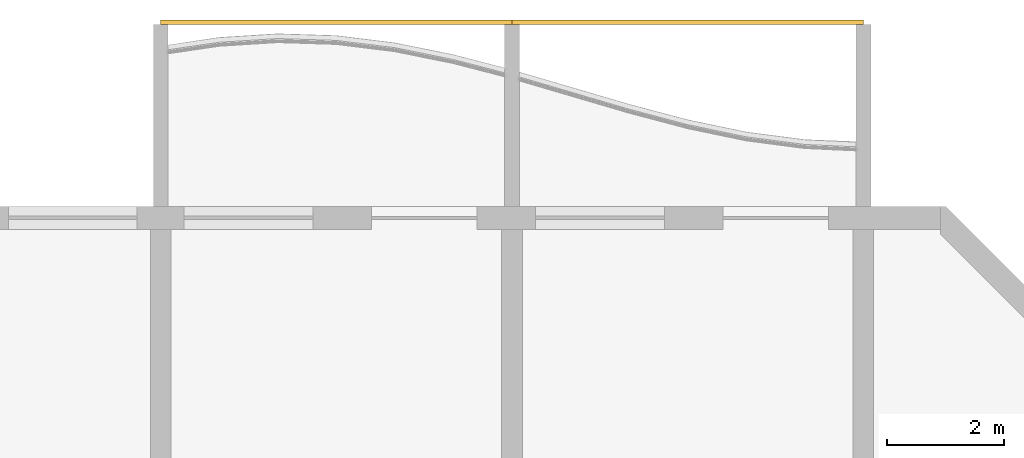
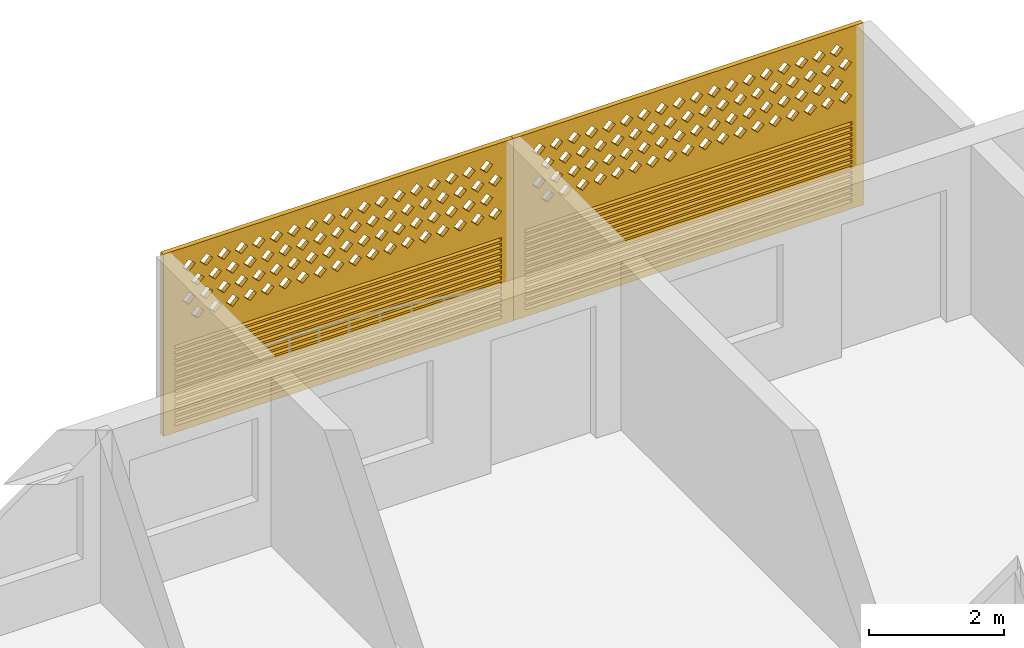
# One storey, part 27 of 27: 2 coverings.
"""IFC4 building model written with IfcOpenShell, lengths in metres."""

from ifc_helpers import new_model, si_unit, direction, frame, origin, place, context, subcontext, project, spatial, polyline, outline, extrude, source, transform, mapped, material, material_profile, profile_set, type_object, element, save


model = new_model("IFC4")

# Units and contexts
model_context = context("Model", 3, precision=1e-05, world=origin(), true_north=direction((0.0, 1.0)))
body_context = subcontext(model_context, "Body", "Model", "MODEL_VIEW")
ifc_project = project(units=[si_unit("LENGTHUNIT", "METRE"), si_unit("AREAUNIT", "SQUARE_METRE"), si_unit("VOLUMEUNIT", "CUBIC_METRE"), si_unit("PLANEANGLEUNIT", "RADIAN"), si_unit("MASSUNIT", "GRAM", prefix="KILO")], contexts=[model_context])

# Site, building, storey
site_placement = place(None, origin())
site = spatial("IfcSite", under=ifc_project, at=site_placement, CompositionType="ELEMENT")
building_placement = place(site_placement, origin())
building = spatial("IfcBuilding", under=site, at=building_placement, Name="Poui Terraces", CompositionType="ELEMENT")
storey_placement = place(building_placement, frame((0.0, 0.0, 76.199951171875)))
storey = spatial("IfcBuildingStorey", under=building, at=storey_placement, Name="L20", CompositionType="ELEMENT", Elevation=76.199951171875)

# Coverings
ifc_material = material(Name="Terracotta screen", Category="masonry")
ifc_material_profile = material_profile(ifc_material, outline(polyline([(-3.0, -1.64990234375), (3.0, -1.64990234375), (3.0, 1.64990234375), (-3.0, 1.64990234375), (-3.0, -1.64990234375)]), holes=[polyline([(-2.800048828125, 0.39990234375), (-2.68994140625, 0.2900390625), (-2.580078125, 0.39990234375), (-2.68994140625, 0.510009765625), (-2.800048828125, 0.39990234375)]), polyline([(-2.5, 0.39990234375), (-2.389892578125, 0.2900390625), (-2.280029296875, 0.39990234375), (-2.389892578125, 0.510009765625), (-2.5, 0.39990234375)]), polyline([(-2.199951171875, 0.39990234375), (-2.090087890625, 0.2900390625), (-1.97998046875, 0.39990234375), (-2.090087890625, 0.510009765625), (-2.199951171875, 0.39990234375)]), polyline([(-1.89990234375, 0.39990234375), (-1.7900390625, 0.2900390625), (-1.679931640625, 0.39990234375), (-1.7900390625, 0.510009765625), (-1.89990234375, 0.39990234375)]), polyline([(-1.60009765625, 0.39990234375), (-1.489990234375, 0.2900390625), (-1.3798828125, 0.39990234375), (-1.489990234375, 0.510009765625), (-1.60009765625, 0.39990234375)]), polyline([(-1.300048828125, 0.39990234375), (-1.18994140625, 0.2900390625), (-1.080078125, 0.39990234375), (-1.18994140625, 0.510009765625), (-1.300048828125, 0.39990234375)]), polyline([(-1.0, 0.39990234375), (-0.889892578125, 0.2900390625), (-0.780029296875, 0.39990234375), (-0.889892578125, 0.510009765625), (-1.0, 0.39990234375)]), polyline([(-0.699951171875, 0.39990234375), (-0.590087890625, 0.2900390625), (-0.47998046875, 0.39990234375), (-0.590087890625, 0.510009765625), (-0.699951171875, 0.39990234375)]), polyline([(-0.39990234375, 0.39990234375), (-0.2900390625, 0.2900390625), (-0.179931640625, 0.39990234375), (-0.2900390625, 0.510009765625), (-0.39990234375, 0.39990234375)]), polyline([(-0.10009765625, 0.39990234375), (0.010009765625, 0.2900390625), (0.1201171875, 0.39990234375), (0.010009765625, 0.510009765625), (-0.10009765625, 0.39990234375)]), polyline([(0.199951171875, 0.39990234375), (0.31005859375, 0.2900390625), (0.419921875, 0.39990234375), (0.31005859375, 0.510009765625), (0.199951171875, 0.39990234375)]), polyline([(0.5, 0.39990234375), (0.610107421875, 0.2900390625), (0.719970703125, 0.39990234375), (0.610107421875, 0.510009765625), (0.5, 0.39990234375)]), polyline([(0.800048828125, 0.39990234375), (0.909912109375, 0.2900390625), (1.02001953125, 0.39990234375), (0.909912109375, 0.510009765625), (0.800048828125, 0.39990234375)]), polyline([(1.10009765625, 0.39990234375), (1.2099609375, 0.2900390625), (1.320068359375, 0.39990234375), (1.2099609375, 0.510009765625), (1.10009765625, 0.39990234375)]), polyline([(1.39990234375, 0.39990234375), (1.510009765625, 0.2900390625), (1.6201171875, 0.39990234375), (1.510009765625, 0.510009765625), (1.39990234375, 0.39990234375)]), polyline([(1.699951171875, 0.39990234375), (1.81005859375, 0.2900390625), (1.919921875, 0.39990234375), (1.81005859375, 0.510009765625), (1.699951171875, 0.39990234375)]), polyline([(2.0, 0.39990234375), (2.110107421875, 0.2900390625), (2.219970703125, 0.39990234375), (2.110107421875, 0.510009765625), (2.0, 0.39990234375)]), polyline([(2.300048828125, 0.39990234375), (2.409912109375, 0.2900390625), (2.52001953125, 0.39990234375), (2.409912109375, 0.510009765625), (2.300048828125, 0.39990234375)]), polyline([(-2.64990234375, 0.699951171875), (-2.5400390625, 0.590087890625), (-2.429931640625, 0.699951171875), (-2.5400390625, 0.81005859375), (-2.64990234375, 0.699951171875)]), polyline([(-2.35009765625, 0.699951171875), (-2.239990234375, 0.590087890625), (-2.1298828125, 0.699951171875), (-2.239990234375, 0.81005859375), (-2.35009765625, 0.699951171875)]), polyline([(-2.050048828125, 0.699951171875), (-1.93994140625, 0.590087890625), (-1.830078125, 0.699951171875), (-1.93994140625, 0.81005859375), (-2.050048828125, 0.699951171875)]), polyline([(-1.75, 0.699951171875), (-1.639892578125, 0.590087890625), (-1.530029296875, 0.699951171875), (-1.639892578125, 0.81005859375), (-1.75, 0.699951171875)]), polyline([(-1.449951171875, 0.699951171875), (-1.340087890625, 0.590087890625), (-1.22998046875, 0.699951171875), (-1.340087890625, 0.81005859375), (-1.449951171875, 0.699951171875)]), polyline([(-1.14990234375, 0.699951171875), (-1.0400390625, 0.590087890625), (-0.929931640625, 0.699951171875), (-1.0400390625, 0.81005859375), (-1.14990234375, 0.699951171875)]), polyline([(-0.85009765625, 0.699951171875), (-0.739990234375, 0.590087890625), (-0.6298828125, 0.699951171875), (-0.739990234375, 0.81005859375), (-0.85009765625, 0.699951171875)]), polyline([(-0.550048828125, 0.699951171875), (-0.43994140625, 0.590087890625), (-0.330078125, 0.699951171875), (-0.43994140625, 0.81005859375), (-0.550048828125, 0.699951171875)]), polyline([(-0.25, 0.699951171875), (-0.139892578125, 0.590087890625), (-0.030029296875, 0.699951171875), (-0.139892578125, 0.81005859375), (-0.25, 0.699951171875)]), polyline([(0.050048828125, 0.699951171875), (0.159912109375, 0.590087890625), (0.27001953125, 0.699951171875), (0.159912109375, 0.81005859375), (0.050048828125, 0.699951171875)]), polyline([(0.35009765625, 0.699951171875), (0.4599609375, 0.590087890625), (0.570068359375, 0.699951171875), (0.4599609375, 0.81005859375), (0.35009765625, 0.699951171875)]), polyline([(0.64990234375, 0.699951171875), (0.760009765625, 0.590087890625), (0.8701171875, 0.699951171875), (0.760009765625, 0.81005859375), (0.64990234375, 0.699951171875)]), polyline([(0.949951171875, 0.699951171875), (1.06005859375, 0.590087890625), (1.169921875, 0.699951171875), (1.06005859375, 0.81005859375), (0.949951171875, 0.699951171875)]), polyline([(1.25, 0.699951171875), (1.360107421875, 0.590087890625), (1.469970703125, 0.699951171875), (1.360107421875, 0.81005859375), (1.25, 0.699951171875)]), polyline([(1.550048828125, 0.699951171875), (1.659912109375, 0.590087890625), (1.77001953125, 0.699951171875), (1.659912109375, 0.81005859375), (1.550048828125, 0.699951171875)]), polyline([(1.85009765625, 0.699951171875), (1.9599609375, 0.590087890625), (2.070068359375, 0.699951171875), (1.9599609375, 0.81005859375), (1.85009765625, 0.699951171875)]), polyline([(2.14990234375, 0.699951171875), (2.260009765625, 0.590087890625), (2.3701171875, 0.699951171875), (2.260009765625, 0.81005859375), (2.14990234375, 0.699951171875)]), polyline([(2.449951171875, 0.699951171875), (2.56005859375, 0.590087890625), (2.669921875, 0.699951171875), (2.56005859375, 0.81005859375), (2.449951171875, 0.699951171875)]), polyline([(-2.800048828125, 1.0), (-2.68994140625, 0.889892578125), (-2.580078125, 1.0), (-2.68994140625, 1.110107421875), (-2.800048828125, 1.0)]), polyline([(-2.5, 1.0), (-2.389892578125, 0.889892578125), (-2.280029296875, 1.0), (-2.389892578125, 1.110107421875), (-2.5, 1.0)]), polyline([(-2.199951171875, 1.0), (-2.090087890625, 0.889892578125), (-1.97998046875, 1.0), (-2.090087890625, 1.110107421875), (-2.199951171875, 1.0)]), polyline([(-1.89990234375, 1.0), (-1.7900390625, 0.889892578125), (-1.679931640625, 1.0), (-1.7900390625, 1.110107421875), (-1.89990234375, 1.0)]), polyline([(-1.60009765625, 1.0), (-1.489990234375, 0.889892578125), (-1.3798828125, 1.0), (-1.489990234375, 1.110107421875), (-1.60009765625, 1.0)]), polyline([(-1.300048828125, 1.0), (-1.18994140625, 0.889892578125), (-1.080078125, 1.0), (-1.18994140625, 1.110107421875), (-1.300048828125, 1.0)]), polyline([(-1.0, 1.0), (-0.889892578125, 0.889892578125), (-0.780029296875, 1.0), (-0.889892578125, 1.110107421875), (-1.0, 1.0)]), polyline([(-0.699951171875, 1.0), (-0.590087890625, 0.889892578125), (-0.47998046875, 1.0), (-0.590087890625, 1.110107421875), (-0.699951171875, 1.0)]), polyline([(-0.39990234375, 1.0), (-0.2900390625, 0.889892578125), (-0.179931640625, 1.0), (-0.2900390625, 1.110107421875), (-0.39990234375, 1.0)]), polyline([(-0.10009765625, 1.0), (0.010009765625, 0.889892578125), (0.1201171875, 1.0), (0.010009765625, 1.110107421875), (-0.10009765625, 1.0)]), polyline([(0.199951171875, 1.0), (0.31005859375, 0.889892578125), (0.419921875, 1.0), (0.31005859375, 1.110107421875), (0.199951171875, 1.0)]), polyline([(0.5, 1.0), (0.610107421875, 0.889892578125), (0.719970703125, 1.0), (0.610107421875, 1.110107421875), (0.5, 1.0)]), polyline([(0.800048828125, 1.0), (0.909912109375, 0.889892578125), (1.02001953125, 1.0), (0.909912109375, 1.110107421875), (0.800048828125, 1.0)]), polyline([(1.10009765625, 1.0), (1.2099609375, 0.889892578125), (1.320068359375, 1.0), (1.2099609375, 1.110107421875), (1.10009765625, 1.0)]), polyline([(1.39990234375, 1.0), (1.510009765625, 0.889892578125), (1.6201171875, 1.0), (1.510009765625, 1.110107421875), (1.39990234375, 1.0)]), polyline([(1.699951171875, 1.0), (1.81005859375, 0.889892578125), (1.919921875, 1.0), (1.81005859375, 1.110107421875), (1.699951171875, 1.0)]), polyline([(2.0, 1.0), (2.110107421875, 0.889892578125), (2.219970703125, 1.0), (2.110107421875, 1.110107421875), (2.0, 1.0)]), polyline([(2.300048828125, 1.0), (2.409912109375, 0.889892578125), (2.52001953125, 1.0), (2.409912109375, 1.110107421875), (2.300048828125, 1.0)]), polyline([(-2.64990234375, 1.300048828125), (-2.5400390625, 1.18994140625), (-2.429931640625, 1.300048828125), (-2.5400390625, 1.409912109375), (-2.64990234375, 1.300048828125)]), polyline([(-2.35009765625, 1.300048828125), (-2.239990234375, 1.18994140625), (-2.1298828125, 1.300048828125), (-2.239990234375, 1.409912109375), (-2.35009765625, 1.300048828125)]), polyline([(-2.050048828125, 1.300048828125), (-1.93994140625, 1.18994140625), (-1.830078125, 1.300048828125), (-1.93994140625, 1.409912109375), (-2.050048828125, 1.300048828125)]), polyline([(-1.75, 1.300048828125), (-1.639892578125, 1.18994140625), (-1.530029296875, 1.300048828125), (-1.639892578125, 1.409912109375), (-1.75, 1.300048828125)]), polyline([(-1.449951171875, 1.300048828125), (-1.340087890625, 1.18994140625), (-1.22998046875, 1.300048828125), (-1.340087890625, 1.409912109375), (-1.449951171875, 1.300048828125)]), polyline([(-1.14990234375, 1.300048828125), (-1.0400390625, 1.18994140625), (-0.929931640625, 1.300048828125), (-1.0400390625, 1.409912109375), (-1.14990234375, 1.300048828125)]), polyline([(-0.85009765625, 1.300048828125), (-0.739990234375, 1.18994140625), (-0.6298828125, 1.300048828125), (-0.739990234375, 1.409912109375), (-0.85009765625, 1.300048828125)]), polyline([(-0.550048828125, 1.300048828125), (-0.43994140625, 1.18994140625), (-0.330078125, 1.300048828125), (-0.43994140625, 1.409912109375), (-0.550048828125, 1.300048828125)]), polyline([(-0.25, 1.300048828125), (-0.139892578125, 1.18994140625), (-0.030029296875, 1.300048828125), (-0.139892578125, 1.409912109375), (-0.25, 1.300048828125)]), polyline([(0.050048828125, 1.300048828125), (0.159912109375, 1.18994140625), (0.27001953125, 1.300048828125), (0.159912109375, 1.409912109375), (0.050048828125, 1.300048828125)]), polyline([(0.35009765625, 1.300048828125), (0.4599609375, 1.18994140625), (0.570068359375, 1.300048828125), (0.4599609375, 1.409912109375), (0.35009765625, 1.300048828125)]), polyline([(0.64990234375, 1.300048828125), (0.760009765625, 1.18994140625), (0.8701171875, 1.300048828125), (0.760009765625, 1.409912109375), (0.64990234375, 1.300048828125)]), polyline([(0.949951171875, 1.300048828125), (1.06005859375, 1.18994140625), (1.169921875, 1.300048828125), (1.06005859375, 1.409912109375), (0.949951171875, 1.300048828125)]), polyline([(1.25, 1.300048828125), (1.360107421875, 1.18994140625), (1.469970703125, 1.300048828125), (1.360107421875, 1.409912109375), (1.25, 1.300048828125)]), polyline([(1.550048828125, 1.300048828125), (1.659912109375, 1.18994140625), (1.77001953125, 1.300048828125), (1.659912109375, 1.409912109375), (1.550048828125, 1.300048828125)]), polyline([(1.85009765625, 1.300048828125), (1.9599609375, 1.18994140625), (2.070068359375, 1.300048828125), (1.9599609375, 1.409912109375), (1.85009765625, 1.300048828125)]), polyline([(2.14990234375, 1.300048828125), (2.260009765625, 1.18994140625), (2.3701171875, 1.300048828125), (2.260009765625, 1.409912109375), (2.14990234375, 1.300048828125)]), polyline([(2.449951171875, 1.300048828125), (2.56005859375, 1.18994140625), (2.669921875, 1.300048828125), (2.56005859375, 1.409912109375), (2.449951171875, 1.300048828125)]), polyline([(-2.800048828125, -1.530029296875), (2.800048828125, -1.530029296875), (2.800048828125, -1.469970703125), (-2.800048828125, -1.469970703125), (-2.800048828125, -1.530029296875)]), polyline([(-2.800048828125, -1.429931640625), (2.800048828125, -1.429931640625), (2.800048828125, -1.3701171875), (-2.800048828125, -1.3701171875), (-2.800048828125, -1.429931640625)]), polyline([(-2.800048828125, -1.330078125), (2.800048828125, -1.330078125), (2.800048828125, -1.27001953125), (-2.800048828125, -1.27001953125), (-2.800048828125, -1.330078125)]), polyline([(-2.800048828125, -1.22998046875), (2.800048828125, -1.22998046875), (2.800048828125, -1.169921875), (-2.800048828125, -1.169921875), (-2.800048828125, -1.22998046875)]), polyline([(-2.800048828125, -1.1298828125), (2.800048828125, -1.1298828125), (2.800048828125, -1.070068359375), (-2.800048828125, -1.070068359375), (-2.800048828125, -1.1298828125)]), polyline([(-2.800048828125, -1.030029296875), (2.800048828125, -1.030029296875), (2.800048828125, -0.969970703125), (-2.800048828125, -0.969970703125), (-2.800048828125, -1.030029296875)]), polyline([(-2.800048828125, -0.929931640625), (2.800048828125, -0.929931640625), (2.800048828125, -0.8701171875), (-2.800048828125, -0.8701171875), (-2.800048828125, -0.929931640625)]), polyline([(-2.800048828125, -0.830078125), (2.800048828125, -0.830078125), (2.800048828125, -0.77001953125), (-2.800048828125, -0.77001953125), (-2.800048828125, -0.830078125)]), polyline([(-2.800048828125, -0.72998046875), (2.800048828125, -0.72998046875), (2.800048828125, -0.669921875), (-2.800048828125, -0.669921875), (-2.800048828125, -0.72998046875)]), polyline([(-2.800048828125, -0.6298828125), (2.800048828125, -0.6298828125), (2.800048828125, -0.570068359375), (-2.800048828125, -0.570068359375), (-2.800048828125, -0.6298828125)]), polyline([(-2.800048828125, -0.530029296875), (2.800048828125, -0.530029296875), (2.800048828125, -0.469970703125), (-2.800048828125, -0.469970703125), (-2.800048828125, -0.530029296875)]), polyline([(-2.800048828125, -0.429931640625), (2.800048828125, -0.429931640625), (2.800048828125, -0.3701171875), (-2.800048828125, -0.3701171875), (-2.800048828125, -0.429931640625)]), polyline([(-2.800048828125, -0.330078125), (2.800048828125, -0.330078125), (2.800048828125, -0.27001953125), (-2.800048828125, -0.27001953125), (-2.800048828125, -0.330078125)]), polyline([(-2.800048828125, -0.22998046875), (2.800048828125, -0.22998046875), (2.800048828125, -0.169921875), (-2.800048828125, -0.169921875), (-2.800048828125, -0.22998046875)]), polyline([(-2.800048828125, -0.1298828125), (2.800048828125, -0.1298828125), (2.800048828125, -0.070068359375), (-2.800048828125, -0.070068359375), (-2.800048828125, -0.1298828125)])]), Name="TERRACOTTA SCREEN AND JALOUSIE LOUVRE 6000X3300")
ifc_profile_set = profile_set([ifc_material_profile], Name="Terracotta screen")
covering_type = type_object("IfcCoveringType", Name="TERRACOTTA SCREEN AND JALOUSIE LOUVRE 6000X3300", PredefinedType="CLADDING", material=ifc_profile_set)
shared_shape = source(origin(), body_context, "Body", "SweptSolid", [
    extrude(outline(polyline([(-3.0, -1.64990234375), (3.0, -1.64990234375), (3.0, 1.64990234375), (-3.0, 1.64990234375), (-3.0, -1.64990234375)]), holes=[polyline([(-2.800048828125, 0.39990234375), (-2.68994140625, 0.2900390625), (-2.580078125, 0.39990234375), (-2.68994140625, 0.510009765625), (-2.800048828125, 0.39990234375)]), polyline([(-2.5, 0.39990234375), (-2.389892578125, 0.2900390625), (-2.280029296875, 0.39990234375), (-2.389892578125, 0.510009765625), (-2.5, 0.39990234375)]), polyline([(-2.199951171875, 0.39990234375), (-2.090087890625, 0.2900390625), (-1.97998046875, 0.39990234375), (-2.090087890625, 0.510009765625), (-2.199951171875, 0.39990234375)]), polyline([(-1.89990234375, 0.39990234375), (-1.7900390625, 0.2900390625), (-1.679931640625, 0.39990234375), (-1.7900390625, 0.510009765625), (-1.89990234375, 0.39990234375)]), polyline([(-1.60009765625, 0.39990234375), (-1.489990234375, 0.2900390625), (-1.3798828125, 0.39990234375), (-1.489990234375, 0.510009765625), (-1.60009765625, 0.39990234375)]), polyline([(-1.300048828125, 0.39990234375), (-1.18994140625, 0.2900390625), (-1.080078125, 0.39990234375), (-1.18994140625, 0.510009765625), (-1.300048828125, 0.39990234375)]), polyline([(-1.0, 0.39990234375), (-0.889892578125, 0.2900390625), (-0.780029296875, 0.39990234375), (-0.889892578125, 0.510009765625), (-1.0, 0.39990234375)]), polyline([(-0.699951171875, 0.39990234375), (-0.590087890625, 0.2900390625), (-0.47998046875, 0.39990234375), (-0.590087890625, 0.510009765625), (-0.699951171875, 0.39990234375)]), polyline([(-0.39990234375, 0.39990234375), (-0.2900390625, 0.2900390625), (-0.179931640625, 0.39990234375), (-0.2900390625, 0.510009765625), (-0.39990234375, 0.39990234375)]), polyline([(-0.10009765625, 0.39990234375), (0.010009765625, 0.2900390625), (0.1201171875, 0.39990234375), (0.010009765625, 0.510009765625), (-0.10009765625, 0.39990234375)]), polyline([(0.199951171875, 0.39990234375), (0.31005859375, 0.2900390625), (0.419921875, 0.39990234375), (0.31005859375, 0.510009765625), (0.199951171875, 0.39990234375)]), polyline([(0.5, 0.39990234375), (0.610107421875, 0.2900390625), (0.719970703125, 0.39990234375), (0.610107421875, 0.510009765625), (0.5, 0.39990234375)]), polyline([(0.800048828125, 0.39990234375), (0.909912109375, 0.2900390625), (1.02001953125, 0.39990234375), (0.909912109375, 0.510009765625), (0.800048828125, 0.39990234375)]), polyline([(1.10009765625, 0.39990234375), (1.2099609375, 0.2900390625), (1.320068359375, 0.39990234375), (1.2099609375, 0.510009765625), (1.10009765625, 0.39990234375)]), polyline([(1.39990234375, 0.39990234375), (1.510009765625, 0.2900390625), (1.6201171875, 0.39990234375), (1.510009765625, 0.510009765625), (1.39990234375, 0.39990234375)]), polyline([(1.699951171875, 0.39990234375), (1.81005859375, 0.2900390625), (1.919921875, 0.39990234375), (1.81005859375, 0.510009765625), (1.699951171875, 0.39990234375)]), polyline([(2.0, 0.39990234375), (2.110107421875, 0.2900390625), (2.219970703125, 0.39990234375), (2.110107421875, 0.510009765625), (2.0, 0.39990234375)]), polyline([(2.300048828125, 0.39990234375), (2.409912109375, 0.2900390625), (2.52001953125, 0.39990234375), (2.409912109375, 0.510009765625), (2.300048828125, 0.39990234375)]), polyline([(-2.64990234375, 0.699951171875), (-2.5400390625, 0.590087890625), (-2.429931640625, 0.699951171875), (-2.5400390625, 0.81005859375), (-2.64990234375, 0.699951171875)]), polyline([(-2.35009765625, 0.699951171875), (-2.239990234375, 0.590087890625), (-2.1298828125, 0.699951171875), (-2.239990234375, 0.81005859375), (-2.35009765625, 0.699951171875)]), polyline([(-2.050048828125, 0.699951171875), (-1.93994140625, 0.590087890625), (-1.830078125, 0.699951171875), (-1.93994140625, 0.81005859375), (-2.050048828125, 0.699951171875)]), polyline([(-1.75, 0.699951171875), (-1.639892578125, 0.590087890625), (-1.530029296875, 0.699951171875), (-1.639892578125, 0.81005859375), (-1.75, 0.699951171875)]), polyline([(-1.449951171875, 0.699951171875), (-1.340087890625, 0.590087890625), (-1.22998046875, 0.699951171875), (-1.340087890625, 0.81005859375), (-1.449951171875, 0.699951171875)]), polyline([(-1.14990234375, 0.699951171875), (-1.0400390625, 0.590087890625), (-0.929931640625, 0.699951171875), (-1.0400390625, 0.81005859375), (-1.14990234375, 0.699951171875)]), polyline([(-0.85009765625, 0.699951171875), (-0.739990234375, 0.590087890625), (-0.6298828125, 0.699951171875), (-0.739990234375, 0.81005859375), (-0.85009765625, 0.699951171875)]), polyline([(-0.550048828125, 0.699951171875), (-0.43994140625, 0.590087890625), (-0.330078125, 0.699951171875), (-0.43994140625, 0.81005859375), (-0.550048828125, 0.699951171875)]), polyline([(-0.25, 0.699951171875), (-0.139892578125, 0.590087890625), (-0.030029296875, 0.699951171875), (-0.139892578125, 0.81005859375), (-0.25, 0.699951171875)]), polyline([(0.050048828125, 0.699951171875), (0.159912109375, 0.590087890625), (0.27001953125, 0.699951171875), (0.159912109375, 0.81005859375), (0.050048828125, 0.699951171875)]), polyline([(0.35009765625, 0.699951171875), (0.4599609375, 0.590087890625), (0.570068359375, 0.699951171875), (0.4599609375, 0.81005859375), (0.35009765625, 0.699951171875)]), polyline([(0.64990234375, 0.699951171875), (0.760009765625, 0.590087890625), (0.8701171875, 0.699951171875), (0.760009765625, 0.81005859375), (0.64990234375, 0.699951171875)]), polyline([(0.949951171875, 0.699951171875), (1.06005859375, 0.590087890625), (1.169921875, 0.699951171875), (1.06005859375, 0.81005859375), (0.949951171875, 0.699951171875)]), polyline([(1.25, 0.699951171875), (1.360107421875, 0.590087890625), (1.469970703125, 0.699951171875), (1.360107421875, 0.81005859375), (1.25, 0.699951171875)]), polyline([(1.550048828125, 0.699951171875), (1.659912109375, 0.590087890625), (1.77001953125, 0.699951171875), (1.659912109375, 0.81005859375), (1.550048828125, 0.699951171875)]), polyline([(1.85009765625, 0.699951171875), (1.9599609375, 0.590087890625), (2.070068359375, 0.699951171875), (1.9599609375, 0.81005859375), (1.85009765625, 0.699951171875)]), polyline([(2.14990234375, 0.699951171875), (2.260009765625, 0.590087890625), (2.3701171875, 0.699951171875), (2.260009765625, 0.81005859375), (2.14990234375, 0.699951171875)]), polyline([(2.449951171875, 0.699951171875), (2.56005859375, 0.590087890625), (2.669921875, 0.699951171875), (2.56005859375, 0.81005859375), (2.449951171875, 0.699951171875)]), polyline([(-2.800048828125, 1.0), (-2.68994140625, 0.889892578125), (-2.580078125, 1.0), (-2.68994140625, 1.110107421875), (-2.800048828125, 1.0)]), polyline([(-2.5, 1.0), (-2.389892578125, 0.889892578125), (-2.280029296875, 1.0), (-2.389892578125, 1.110107421875), (-2.5, 1.0)]), polyline([(-2.199951171875, 1.0), (-2.090087890625, 0.889892578125), (-1.97998046875, 1.0), (-2.090087890625, 1.110107421875), (-2.199951171875, 1.0)]), polyline([(-1.89990234375, 1.0), (-1.7900390625, 0.889892578125), (-1.679931640625, 1.0), (-1.7900390625, 1.110107421875), (-1.89990234375, 1.0)]), polyline([(-1.60009765625, 1.0), (-1.489990234375, 0.889892578125), (-1.3798828125, 1.0), (-1.489990234375, 1.110107421875), (-1.60009765625, 1.0)]), polyline([(-1.300048828125, 1.0), (-1.18994140625, 0.889892578125), (-1.080078125, 1.0), (-1.18994140625, 1.110107421875), (-1.300048828125, 1.0)]), polyline([(-1.0, 1.0), (-0.889892578125, 0.889892578125), (-0.780029296875, 1.0), (-0.889892578125, 1.110107421875), (-1.0, 1.0)]), polyline([(-0.699951171875, 1.0), (-0.590087890625, 0.889892578125), (-0.47998046875, 1.0), (-0.590087890625, 1.110107421875), (-0.699951171875, 1.0)]), polyline([(-0.39990234375, 1.0), (-0.2900390625, 0.889892578125), (-0.179931640625, 1.0), (-0.2900390625, 1.110107421875), (-0.39990234375, 1.0)]), polyline([(-0.10009765625, 1.0), (0.010009765625, 0.889892578125), (0.1201171875, 1.0), (0.010009765625, 1.110107421875), (-0.10009765625, 1.0)]), polyline([(0.199951171875, 1.0), (0.31005859375, 0.889892578125), (0.419921875, 1.0), (0.31005859375, 1.110107421875), (0.199951171875, 1.0)]), polyline([(0.5, 1.0), (0.610107421875, 0.889892578125), (0.719970703125, 1.0), (0.610107421875, 1.110107421875), (0.5, 1.0)]), polyline([(0.800048828125, 1.0), (0.909912109375, 0.889892578125), (1.02001953125, 1.0), (0.909912109375, 1.110107421875), (0.800048828125, 1.0)]), polyline([(1.10009765625, 1.0), (1.2099609375, 0.889892578125), (1.320068359375, 1.0), (1.2099609375, 1.110107421875), (1.10009765625, 1.0)]), polyline([(1.39990234375, 1.0), (1.510009765625, 0.889892578125), (1.6201171875, 1.0), (1.510009765625, 1.110107421875), (1.39990234375, 1.0)]), polyline([(1.699951171875, 1.0), (1.81005859375, 0.889892578125), (1.919921875, 1.0), (1.81005859375, 1.110107421875), (1.699951171875, 1.0)]), polyline([(2.0, 1.0), (2.110107421875, 0.889892578125), (2.219970703125, 1.0), (2.110107421875, 1.110107421875), (2.0, 1.0)]), polyline([(2.300048828125, 1.0), (2.409912109375, 0.889892578125), (2.52001953125, 1.0), (2.409912109375, 1.110107421875), (2.300048828125, 1.0)]), polyline([(-2.64990234375, 1.300048828125), (-2.5400390625, 1.18994140625), (-2.429931640625, 1.300048828125), (-2.5400390625, 1.409912109375), (-2.64990234375, 1.300048828125)]), polyline([(-2.35009765625, 1.300048828125), (-2.239990234375, 1.18994140625), (-2.1298828125, 1.300048828125), (-2.239990234375, 1.409912109375), (-2.35009765625, 1.300048828125)]), polyline([(-2.050048828125, 1.300048828125), (-1.93994140625, 1.18994140625), (-1.830078125, 1.300048828125), (-1.93994140625, 1.409912109375), (-2.050048828125, 1.300048828125)]), polyline([(-1.75, 1.300048828125), (-1.639892578125, 1.18994140625), (-1.530029296875, 1.300048828125), (-1.639892578125, 1.409912109375), (-1.75, 1.300048828125)]), polyline([(-1.449951171875, 1.300048828125), (-1.340087890625, 1.18994140625), (-1.22998046875, 1.300048828125), (-1.340087890625, 1.409912109375), (-1.449951171875, 1.300048828125)]), polyline([(-1.14990234375, 1.300048828125), (-1.0400390625, 1.18994140625), (-0.929931640625, 1.300048828125), (-1.0400390625, 1.409912109375), (-1.14990234375, 1.300048828125)]), polyline([(-0.85009765625, 1.300048828125), (-0.739990234375, 1.18994140625), (-0.6298828125, 1.300048828125), (-0.739990234375, 1.409912109375), (-0.85009765625, 1.300048828125)]), polyline([(-0.550048828125, 1.300048828125), (-0.43994140625, 1.18994140625), (-0.330078125, 1.300048828125), (-0.43994140625, 1.409912109375), (-0.550048828125, 1.300048828125)]), polyline([(-0.25, 1.300048828125), (-0.139892578125, 1.18994140625), (-0.030029296875, 1.300048828125), (-0.139892578125, 1.409912109375), (-0.25, 1.300048828125)]), polyline([(0.050048828125, 1.300048828125), (0.159912109375, 1.18994140625), (0.27001953125, 1.300048828125), (0.159912109375, 1.409912109375), (0.050048828125, 1.300048828125)]), polyline([(0.35009765625, 1.300048828125), (0.4599609375, 1.18994140625), (0.570068359375, 1.300048828125), (0.4599609375, 1.409912109375), (0.35009765625, 1.300048828125)]), polyline([(0.64990234375, 1.300048828125), (0.760009765625, 1.18994140625), (0.8701171875, 1.300048828125), (0.760009765625, 1.409912109375), (0.64990234375, 1.300048828125)]), polyline([(0.949951171875, 1.300048828125), (1.06005859375, 1.18994140625), (1.169921875, 1.300048828125), (1.06005859375, 1.409912109375), (0.949951171875, 1.300048828125)]), polyline([(1.25, 1.300048828125), (1.360107421875, 1.18994140625), (1.469970703125, 1.300048828125), (1.360107421875, 1.409912109375), (1.25, 1.300048828125)]), polyline([(1.550048828125, 1.300048828125), (1.659912109375, 1.18994140625), (1.77001953125, 1.300048828125), (1.659912109375, 1.409912109375), (1.550048828125, 1.300048828125)]), polyline([(1.85009765625, 1.300048828125), (1.9599609375, 1.18994140625), (2.070068359375, 1.300048828125), (1.9599609375, 1.409912109375), (1.85009765625, 1.300048828125)]), polyline([(2.14990234375, 1.300048828125), (2.260009765625, 1.18994140625), (2.3701171875, 1.300048828125), (2.260009765625, 1.409912109375), (2.14990234375, 1.300048828125)]), polyline([(2.449951171875, 1.300048828125), (2.56005859375, 1.18994140625), (2.669921875, 1.300048828125), (2.56005859375, 1.409912109375), (2.449951171875, 1.300048828125)]), polyline([(-2.800048828125, -1.530029296875), (2.800048828125, -1.530029296875), (2.800048828125, -1.469970703125), (-2.800048828125, -1.469970703125), (-2.800048828125, -1.530029296875)]), polyline([(-2.800048828125, -1.429931640625), (2.800048828125, -1.429931640625), (2.800048828125, -1.3701171875), (-2.800048828125, -1.3701171875), (-2.800048828125, -1.429931640625)]), polyline([(-2.800048828125, -1.330078125), (2.800048828125, -1.330078125), (2.800048828125, -1.27001953125), (-2.800048828125, -1.27001953125), (-2.800048828125, -1.330078125)]), polyline([(-2.800048828125, -1.22998046875), (2.800048828125, -1.22998046875), (2.800048828125, -1.169921875), (-2.800048828125, -1.169921875), (-2.800048828125, -1.22998046875)]), polyline([(-2.800048828125, -1.1298828125), (2.800048828125, -1.1298828125), (2.800048828125, -1.070068359375), (-2.800048828125, -1.070068359375), (-2.800048828125, -1.1298828125)]), polyline([(-2.800048828125, -1.030029296875), (2.800048828125, -1.030029296875), (2.800048828125, -0.969970703125), (-2.800048828125, -0.969970703125), (-2.800048828125, -1.030029296875)]), polyline([(-2.800048828125, -0.929931640625), (2.800048828125, -0.929931640625), (2.800048828125, -0.8701171875), (-2.800048828125, -0.8701171875), (-2.800048828125, -0.929931640625)]), polyline([(-2.800048828125, -0.830078125), (2.800048828125, -0.830078125), (2.800048828125, -0.77001953125), (-2.800048828125, -0.77001953125), (-2.800048828125, -0.830078125)]), polyline([(-2.800048828125, -0.72998046875), (2.800048828125, -0.72998046875), (2.800048828125, -0.669921875), (-2.800048828125, -0.669921875), (-2.800048828125, -0.72998046875)]), polyline([(-2.800048828125, -0.6298828125), (2.800048828125, -0.6298828125), (2.800048828125, -0.570068359375), (-2.800048828125, -0.570068359375), (-2.800048828125, -0.6298828125)]), polyline([(-2.800048828125, -0.530029296875), (2.800048828125, -0.530029296875), (2.800048828125, -0.469970703125), (-2.800048828125, -0.469970703125), (-2.800048828125, -0.530029296875)]), polyline([(-2.800048828125, -0.429931640625), (2.800048828125, -0.429931640625), (2.800048828125, -0.3701171875), (-2.800048828125, -0.3701171875), (-2.800048828125, -0.429931640625)]), polyline([(-2.800048828125, -0.330078125), (2.800048828125, -0.330078125), (2.800048828125, -0.27001953125), (-2.800048828125, -0.27001953125), (-2.800048828125, -0.330078125)]), polyline([(-2.800048828125, -0.22998046875), (2.800048828125, -0.22998046875), (2.800048828125, -0.169921875), (-2.800048828125, -0.169921875), (-2.800048828125, -0.22998046875)]), polyline([(-2.800048828125, -0.1298828125), (2.800048828125, -0.1298828125), (2.800048828125, -0.070068359375), (-2.800048828125, -0.070068359375), (-2.800048828125, -0.1298828125)])]), origin(), (0.0, 0.0, 1.0), 0.080078125),
])
for number, where, z_axis, x_axis, name in (
    (1, (81.0, 46.89990234375, 1.449951171875), (0.0, 1.0, 0.0), (-1.0, 0.0, 0.0), "SOLAR SCREEN AND JALOUSIE LOUVRE"),
    (2, (87.0, 46.89990234375, 1.449951171875), (0.0, 1.0, 0.0), (-1.0, 0.0, 0.0), "SOLAR SCREEN AND JALOUSIE LOUVRE"),
):
    element("IfcCovering", number, at=place(storey_placement, frame(where, z_axis=z_axis, x_axis=x_axis)), inside=storey, type_object=covering_type, Name=name, PredefinedType="CLADDING", context=body_context, shape_type="MappedRepresentation", body=[
        mapped(shared_shape, transform((0.0, 0.0, 0.0))),
    ])

save(model, "model.ifc")
